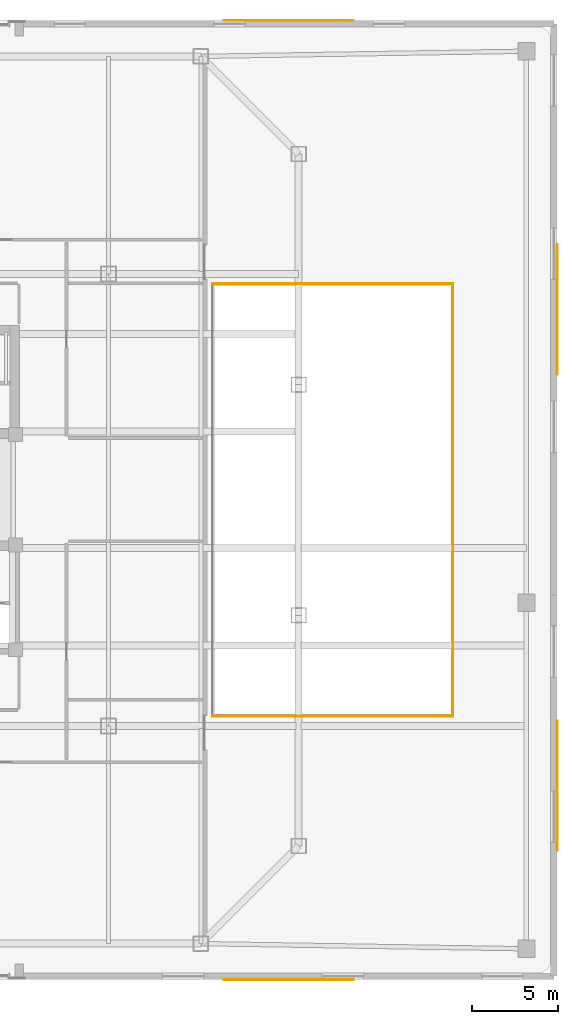
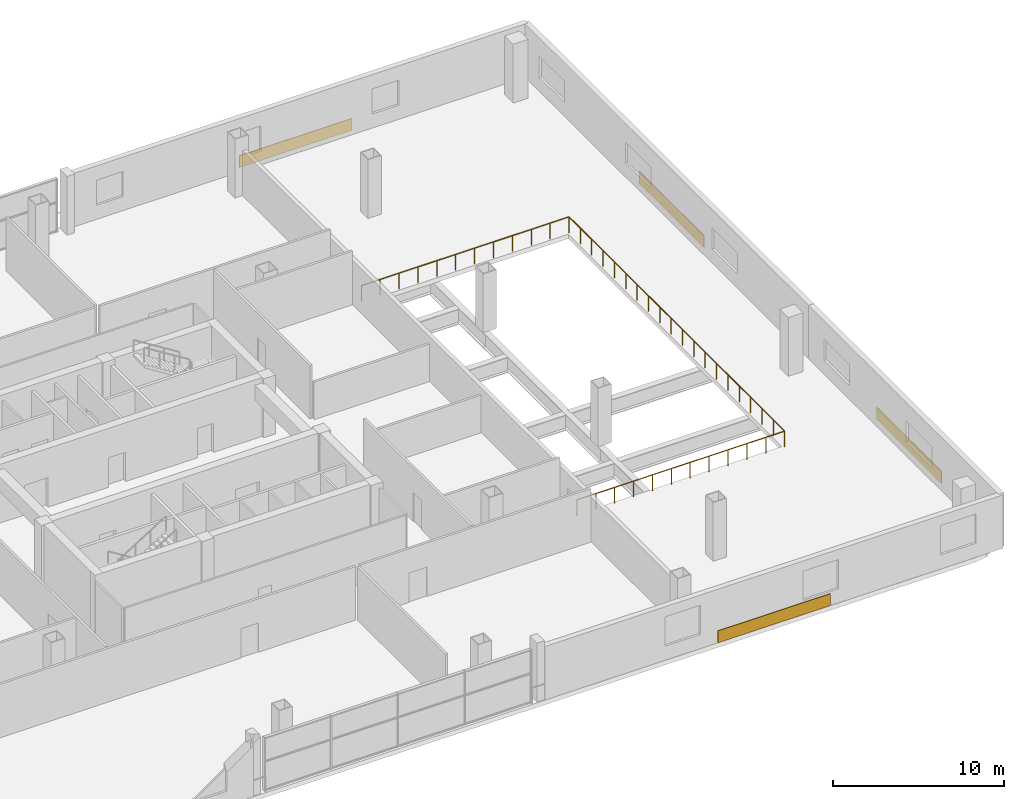
# One storey, part 21 of 21: 4 coverings, 3 railings.
"""IFC4 building model written with IfcOpenShell, lengths in metres."""

from ifc_helpers import new_model, si_unit, direction, frame, origin, origin_2d, place, context, subcontext, project, spatial, rectangle, extrude, material, layer, layer_set, type_object, element, save


model = new_model("IFC4")

# Units and contexts
model_context = context("Model", 3, precision=1e-05, world=origin(), true_north=direction((0.0, 1.0)))
body_context = subcontext(model_context, "Body", "Model", "MODEL_VIEW")
ifc_project = project(units=[si_unit("LENGTHUNIT", "METRE"), si_unit("AREAUNIT", "SQUARE_METRE"), si_unit("VOLUMEUNIT", "CUBIC_METRE"), si_unit("PLANEANGLEUNIT", "RADIAN"), si_unit("MASSUNIT", "GRAM", prefix="KILO")], contexts=[model_context])

# Site, building, storey
site_placement = place(None, origin())
site = spatial("IfcSite", under=ifc_project, at=site_placement, CompositionType="ELEMENT")
building_placement = place(site_placement, origin())
building = spatial("IfcBuilding", under=site, at=building_placement, Name="Qhalaya Broadcast Tower", CompositionType="ELEMENT")
storey_placement = place(building_placement, frame((0.0, 0.0, 17.699951171875)))
storey = spatial("IfcBuildingStorey", under=building, at=storey_placement, Name="L04", CompositionType="ELEMENT", Elevation=17.699951171875)

# Coverings
ifc_material_1 = material(Name="Fired Architectural Terracotta", Category="masonry")
ifc_layer = layer(ifc_material_1, 0.044921875, Name="Fired Architectural Terracotta")
ifc_layer_set = layer_set([ifc_layer], Name="Fired Architectural Terracotta")
covering_type = type_object("IfcCoveringType", Name="Polychrome Terracotta Rainscreen Cladding CLD-01", PredefinedType="CLADDING", material=ifc_layer_set)
for number, where, z_axis, x_axis, name in (
    (1, (25.320068359375, -28.0, 0.02490234375), (0.0, 0.0, 1.0), (-1.0, 0.0, 0.0), "L04 Terracotta Spandrel Cladding EW-SE"),
    (2, (25.320068359375, 28.0, 0.02490234375), (0.0, 0.0, 1.0), (1.0, 0.0, 0.0), "L04 Terracotta Spandrel Cladding EW-NE"),
    (3, (41.0, -16.675048828125, 0.02490234375), (0.0, 0.0, 1.0), (0.0, -1.0, 0.0), "L04 Terracotta Spandrel Cladding EW-ES"),
    (4, (41.0, 11.125, 0.02490234375), (0.0, 0.0, 1.0), (0.0, -1.0, 0.0), "L04 Terracotta Spandrel Cladding EW-EN"),
):
    element("IfcCovering", number, at=place(storey_placement, frame(where, z_axis=z_axis, x_axis=x_axis)), inside=storey, type_object=covering_type, Name=name, PredefinedType="CLADDING", context=body_context, shape_type="SweptSolid", body=[
        extrude(rectangle(XDim=7.60009765625, YDim=0.044921875, at=origin_2d()), origin(), (0.0, 0.0, 1.0), 0.85009765625),
    ])

# Railings
ifc_material_2 = material(Name="Powder-Coated Galvanised Steel", Category="steel")
railing_type = type_object("IfcRailingType", Name="Stair Well & Landing Guardrail 1100", PredefinedType="GUARDRAIL", material=ifc_material_2)
railing_1_placement = place(storey_placement, frame((20.8798828125, -12.6201171875, 0.0)))
element("IfcRailing", 5, at=railing_1_placement, inside=storey, type_object=railing_type, Name="L04 Soundstage Acoustic Void Safety Guard STVE-1", PredefinedType="GUARDRAIL", context=body_context, shape_type="SweptSolid", body=[
    extrude(rectangle(XDim=0.048095703125, YDim=0.048095703125, at=origin_2d()), frame((0.0, 0.0, 1.1259765625), z_axis=(1.0, 0.0, 0.0), x_axis=(0.0, 1.0, 0.0)), (0.0, 0.0, 1.0), 14.0400390625),
    extrude(rectangle(XDim=0.0419921875, YDim=0.0419921875, at=origin_2d()), origin(), (0.0, 0.0, 1.0), 1.099853515625),
    extrude(rectangle(XDim=0.0419921875, YDim=0.0419921875, at=origin_2d()), frame((1.2763671875, 0.0, 0.0)), (0.0, 0.0, 1.0), 1.099853515625),
    extrude(rectangle(XDim=0.0419921875, YDim=0.0419921875, at=origin_2d()), frame((2.552734375, 0.0, 0.0)), (0.0, 0.0, 1.0), 1.099853515625),
    extrude(rectangle(XDim=0.0419921875, YDim=0.0419921875, at=origin_2d()), frame((3.8291015625, 0.0, 0.0)), (0.0, 0.0, 1.0), 1.099853515625),
    extrude(rectangle(XDim=0.0419921875, YDim=0.0419921875, at=origin_2d()), frame((5.10546875, 0.0, 0.0)), (0.0, 0.0, 1.0), 1.099853515625),
    extrude(rectangle(XDim=0.0419921875, YDim=0.0419921875, at=origin_2d()), frame((6.3818359375, 0.0, 0.0)), (0.0, 0.0, 1.0), 1.099853515625),
    extrude(rectangle(XDim=0.0419921875, YDim=0.0419921875, at=origin_2d()), frame((7.658203125, 0.0, 0.0)), (0.0, 0.0, 1.0), 1.099853515625),
    extrude(rectangle(XDim=0.0419921875, YDim=0.0419921875, at=origin_2d()), frame((8.9345703125, 0.0, 0.0)), (0.0, 0.0, 1.0), 1.099853515625),
    extrude(rectangle(XDim=0.0419921875, YDim=0.0419921875, at=origin_2d()), frame((10.2109375, 0.0, 0.0)), (0.0, 0.0, 1.0), 1.099853515625),
    extrude(rectangle(XDim=0.0419921875, YDim=0.0419921875, at=origin_2d()), frame((11.4873046875, 0.0, 0.0)), (0.0, 0.0, 1.0), 1.099853515625),
    extrude(rectangle(XDim=0.0419921875, YDim=0.0419921875, at=origin_2d()), frame((12.763671875, 0.0, 0.0)), (0.0, 0.0, 1.0), 1.099853515625),
    extrude(rectangle(XDim=0.0419921875, YDim=0.0419921875, at=origin_2d()), frame((14.0400390625, 0.0, 0.0)), (0.0, 0.0, 1.0), 1.099853515625),
])
railing_2_placement = place(storey_placement, frame((34.919921875, -12.6201171875, 0.0)))
element("IfcRailing", 6, at=railing_2_placement, inside=storey, type_object=railing_type, Name="L04 Soundstage Acoustic Void Safety Guard STVE-2", PredefinedType="GUARDRAIL", context=body_context, shape_type="SweptSolid", body=[
    extrude(rectangle(XDim=0.048095703125, YDim=0.048095703125, at=origin_2d()), frame((0.0, 0.0, 1.1259765625), z_axis=(0.0, 1.0, 0.0), x_axis=(-1.0, 0.0, 0.0)), (0.0, 0.0, 1.0), 25.240234375),
    extrude(rectangle(XDim=0.0419921875, YDim=0.0419921875, at=origin_2d()), origin(), (0.0, 0.0, 1.0), 1.099853515625),
    extrude(rectangle(XDim=0.0419921875, YDim=0.0419921875, at=origin_2d()), frame((0.0, 1.328369140625, 0.0)), (0.0, 0.0, 1.0), 1.099853515625),
    extrude(rectangle(XDim=0.0419921875, YDim=0.0419921875, at=origin_2d()), frame((0.0, 2.656982421875, 0.0)), (0.0, 0.0, 1.0), 1.099853515625),
    extrude(rectangle(XDim=0.0419921875, YDim=0.0419921875, at=origin_2d()), frame((0.0, 3.9853515625, 0.0)), (0.0, 0.0, 1.0), 1.099853515625),
    extrude(rectangle(XDim=0.0419921875, YDim=0.0419921875, at=origin_2d()), frame((0.0, 5.313720703125, 0.0)), (0.0, 0.0, 1.0), 1.099853515625),
    extrude(rectangle(XDim=0.0419921875, YDim=0.0419921875, at=origin_2d()), frame((0.0, 6.64208984375, 0.0)), (0.0, 0.0, 1.0), 1.099853515625),
    extrude(rectangle(XDim=0.0419921875, YDim=0.0419921875, at=origin_2d()), frame((0.0, 7.970703125, 0.0)), (0.0, 0.0, 1.0), 1.099853515625),
    extrude(rectangle(XDim=0.0419921875, YDim=0.0419921875, at=origin_2d()), frame((0.0, 9.299072265625, 0.0)), (0.0, 0.0, 1.0), 1.099853515625),
    extrude(rectangle(XDim=0.0419921875, YDim=0.0419921875, at=origin_2d()), frame((0.0, 10.62744140625, 0.0)), (0.0, 0.0, 1.0), 1.099853515625),
    extrude(rectangle(XDim=0.0419921875, YDim=0.0419921875, at=origin_2d()), frame((0.0, 11.955810546875, 0.0)), (0.0, 0.0, 1.0), 1.099853515625),
    extrude(rectangle(XDim=0.0419921875, YDim=0.0419921875, at=origin_2d()), frame((0.0, 13.284423828125, 0.0)), (0.0, 0.0, 1.0), 1.099853515625),
    extrude(rectangle(XDim=0.0419921875, YDim=0.0419921875, at=origin_2d()), frame((0.0, 14.61279296875, 0.0)), (0.0, 0.0, 1.0), 1.099853515625),
    extrude(rectangle(XDim=0.0419921875, YDim=0.0419921875, at=origin_2d()), frame((0.0, 15.941162109375, 0.0)), (0.0, 0.0, 1.0), 1.099853515625),
    extrude(rectangle(XDim=0.0419921875, YDim=0.0419921875, at=origin_2d()), frame((0.0, 17.26953125, 0.0)), (0.0, 0.0, 1.0), 1.099853515625),
    extrude(rectangle(XDim=0.0419921875, YDim=0.0419921875, at=origin_2d()), frame((0.0, 18.59814453125, 0.0)), (0.0, 0.0, 1.0), 1.099853515625),
    extrude(rectangle(XDim=0.0419921875, YDim=0.0419921875, at=origin_2d()), frame((0.0, 19.926513671875, 0.0)), (0.0, 0.0, 1.0), 1.099853515625),
    extrude(rectangle(XDim=0.0419921875, YDim=0.0419921875, at=origin_2d()), frame((0.0, 21.2548828125, 0.0)), (0.0, 0.0, 1.0), 1.099853515625),
    extrude(rectangle(XDim=0.0419921875, YDim=0.0419921875, at=origin_2d()), frame((0.0, 22.583251953125, 0.0)), (0.0, 0.0, 1.0), 1.099853515625),
    extrude(rectangle(XDim=0.0419921875, YDim=0.0419921875, at=origin_2d()), frame((0.0, 23.911865234375, 0.0)), (0.0, 0.0, 1.0), 1.099853515625),
    extrude(rectangle(XDim=0.0419921875, YDim=0.0419921875, at=origin_2d()), frame((0.0, 25.240234375, 0.0)), (0.0, 0.0, 1.0), 1.099853515625),
])
railing_3_placement = place(storey_placement, frame((34.919921875, 12.6201171875, 0.0)))
element("IfcRailing", 7, at=railing_3_placement, inside=storey, type_object=railing_type, Name="L04 Soundstage Acoustic Void Safety Guard STVE-3", PredefinedType="GUARDRAIL", context=body_context, shape_type="SweptSolid", body=[
    extrude(rectangle(XDim=0.048095703125, YDim=0.048095703125, at=origin_2d()), frame((0.0, 0.0, 1.1259765625), z_axis=(-1.0, 0.0, 0.0), x_axis=(0.0, -1.0, 0.0)), (0.0, 0.0, 1.0), 14.0400390625),
    extrude(rectangle(XDim=0.0419921875, YDim=0.0419921875, at=origin_2d()), origin(), (0.0, 0.0, 1.0), 1.099853515625),
    extrude(rectangle(XDim=0.0419921875, YDim=0.0419921875, at=origin_2d()), frame((-1.2763671875, 0.0, 0.0)), (0.0, 0.0, 1.0), 1.099853515625),
    extrude(rectangle(XDim=0.0419921875, YDim=0.0419921875, at=origin_2d()), frame((-2.552734375, 0.0, 0.0)), (0.0, 0.0, 1.0), 1.099853515625),
    extrude(rectangle(XDim=0.0419921875, YDim=0.0419921875, at=origin_2d()), frame((-3.8291015625, 0.0, 0.0)), (0.0, 0.0, 1.0), 1.099853515625),
    extrude(rectangle(XDim=0.0419921875, YDim=0.0419921875, at=origin_2d()), frame((-5.10546875, 0.0, 0.0)), (0.0, 0.0, 1.0), 1.099853515625),
    extrude(rectangle(XDim=0.0419921875, YDim=0.0419921875, at=origin_2d()), frame((-6.3818359375, 0.0, 0.0)), (0.0, 0.0, 1.0), 1.099853515625),
    extrude(rectangle(XDim=0.0419921875, YDim=0.0419921875, at=origin_2d()), frame((-7.658203125, 0.0, 0.0)), (0.0, 0.0, 1.0), 1.099853515625),
    extrude(rectangle(XDim=0.0419921875, YDim=0.0419921875, at=origin_2d()), frame((-8.9345703125, 0.0, 0.0)), (0.0, 0.0, 1.0), 1.099853515625),
    extrude(rectangle(XDim=0.0419921875, YDim=0.0419921875, at=origin_2d()), frame((-10.2109375, 0.0, 0.0)), (0.0, 0.0, 1.0), 1.099853515625),
    extrude(rectangle(XDim=0.0419921875, YDim=0.0419921875, at=origin_2d()), frame((-11.4873046875, 0.0, 0.0)), (0.0, 0.0, 1.0), 1.099853515625),
    extrude(rectangle(XDim=0.0419921875, YDim=0.0419921875, at=origin_2d()), frame((-12.763671875, 0.0, 0.0)), (0.0, 0.0, 1.0), 1.099853515625),
    extrude(rectangle(XDim=0.0419921875, YDim=0.0419921875, at=origin_2d()), frame((-14.0400390625, 0.0, 0.0)), (0.0, 0.0, 1.0), 1.099853515625),
])

save(model, "model.ifc")
